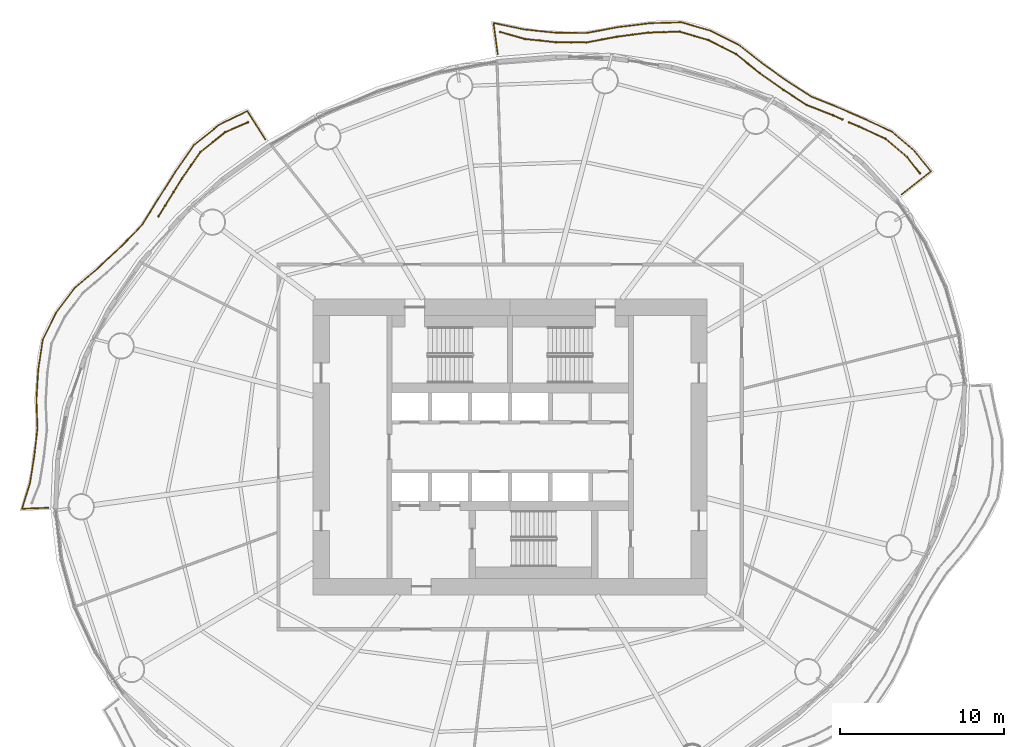
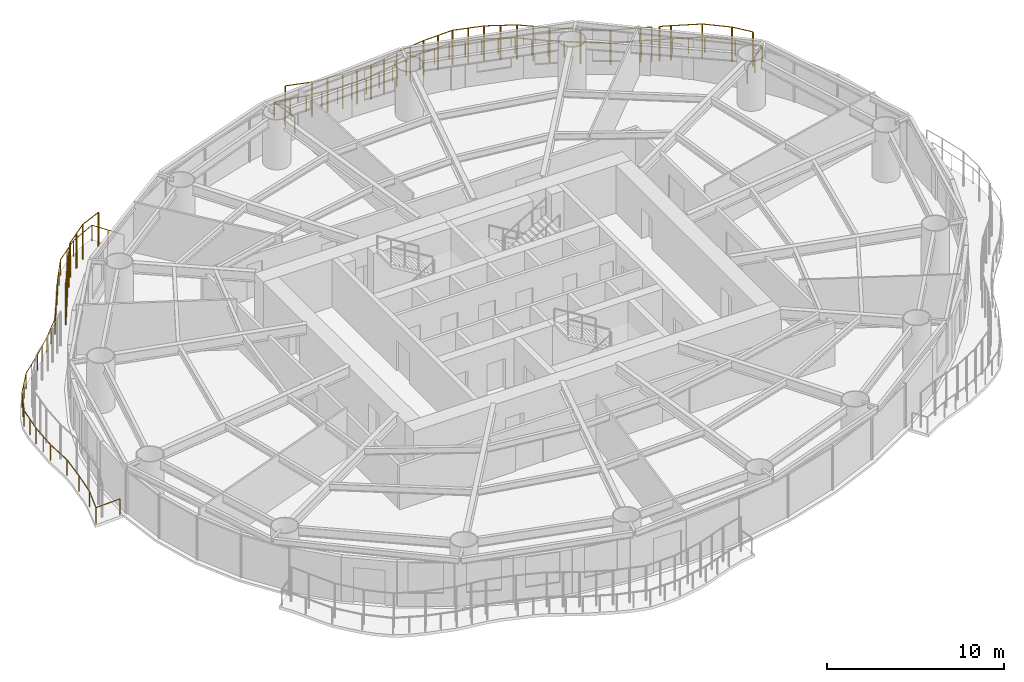
# One storey, part 16 of 16: 5 railings.
"""IFC4 building model written with IfcOpenShell, lengths in metres."""

from ifc_helpers import new_model, si_unit, direction, frame, origin, origin_2d, place, context, subcontext, project, spatial, circle, extrude, material, type_object, element, save


model = new_model("IFC4")

# Units and contexts
model_context = context("Model", 3, precision=1e-05, world=origin(), true_north=direction((0.0, 1.0)))
body_context = subcontext(model_context, "Body", "Model", "MODEL_VIEW")
ifc_project = project(units=[si_unit("LENGTHUNIT", "METRE"), si_unit("AREAUNIT", "SQUARE_METRE"), si_unit("VOLUMEUNIT", "CUBIC_METRE"), si_unit("PLANEANGLEUNIT", "RADIAN"), si_unit("MASSUNIT", "GRAM", prefix="KILO")], contexts=[model_context])

# Site, building, storey
site_placement = place(None, origin())
site = spatial("IfcSite", under=ifc_project, at=site_placement, CompositionType="ELEMENT")
building_placement = place(site_placement, origin())
building = spatial("IfcBuilding", under=site, at=building_placement, Name="Vermilion Reach Broadcast Tower", CompositionType="ELEMENT")
storey_placement = place(building_placement, frame((0.0, 0.0, 113.800048828125)))
storey = spatial("IfcBuildingStorey", under=building, at=storey_placement, Name="L26", CompositionType="ELEMENT", Elevation=113.800048828125)

# Railings
ifc_material_1 = material(Name="Terracotta baguette", Category="masonry")
railing_type_1 = type_object("IfcRailingType", Name="BAGUETTE SCREEN", PredefinedType="USERDEFINED", material=ifc_material_1)
railing_1_placement = place(storey_placement, frame((18.940673828125, 16.65869140625, 0.0)))
element("IfcRailing", 1, at=railing_1_placement, inside=storey, type_object=railing_type_1, Name="Baguette screen L26 group 1 part 1", ObjectType="BAGUETTE SCREEN", PredefinedType="USERDEFINED", context=body_context, shape_type="SweptSolid", body=[
    extrude(circle(Radius=0.030029296875, at=origin_2d()), frame((0.0, 0.0, 2.369873046875), z_axis=(-0.616943066015, 0.787007784775, 0.0), x_axis=(-0.787007784775, -0.616943066015, 0.0)), (0.0, 0.0, 1.0), 1.2646484375),
    extrude(circle(Radius=0.030029296875, at=origin_2d()), frame((-0.7802734375, 0.995361328125, 2.369873046875), z_axis=(-0.762030889386, 0.647540673334, 0.0), x_axis=(-0.647540673334, -0.762030889386, 0.0)), (0.0, 0.0, 1.0), 1.710205078125),
    extrude(circle(Radius=0.030029296875, at=origin_2d()), frame((-2.08349609375, 2.102783203125, 2.369873046875), z_axis=(-0.909723931133, 0.415213642749, 0.0), x_axis=(-0.415213642749, -0.909723931133, 0.0)), (0.0, 0.0, 1.0), 1.78564453125),
    extrude(circle(Radius=0.030029296875, at=origin_2d()), frame((-3.7080078125, 2.84423828125, 2.369873046875), z_axis=(-0.917883208286, 0.396850621704, 0.0), x_axis=(-0.396850621704, -0.917883208286, 0.0)), (0.0, 0.0, 1.0), 0.642822265625),
    extrude(circle(Radius=0.050048828125, at=origin_2d()), origin(), (0.0, 0.0, 1.0), 2.33984375),
    extrude(circle(Radius=0.050048828125, at=origin_2d()), frame((-0.7802734375, 0.995361328125, 0.0)), (0.0, 0.0, 1.0), 2.33984375),
    extrude(circle(Radius=0.050048828125, at=origin_2d()), frame((-2.08349609375, 2.102783203125, 0.0)), (0.0, 0.0, 1.0), 2.33984375),
    extrude(circle(Radius=0.050048828125, at=origin_2d()), frame((-3.7080078125, 2.84423828125, 0.0)), (0.0, 0.0, 1.0), 2.33984375),
    extrude(circle(Radius=0.050048828125, at=origin_2d()), frame((-4.298095703125, 3.099365234375, 0.0)), (0.0, 0.0, 1.0), 2.33984375),
])
railing_2_placement = place(storey_placement, frame((14.232421875, 19.93505859375, 0.0)))
element("IfcRailing", 2, at=railing_2_placement, inside=storey, type_object=railing_type_1, Name="Baguette screen L26 group 1 part 2", ObjectType="BAGUETTE SCREEN", PredefinedType="USERDEFINED", context=body_context, shape_type="SweptSolid", body=[
    extrude(circle(Radius=0.030029296875, at=origin_2d()), frame((0.0, 0.0, 2.369873046875), z_axis=(-0.9178646239, 0.396893603114, 0.0), x_axis=(-0.396893603114, -0.9178646239, 0.0)), (0.0, 0.0, 1.0), 0.633544921875),
    extrude(circle(Radius=0.030029296875, at=origin_2d()), frame((-0.58154296875, 0.25146484375, 2.369873046875), z_axis=(-0.929868255268, 0.367892685229, 0.0), x_axis=(-0.367892685229, -0.929868255268, 0.0)), (0.0, 0.0, 1.0), 1.72216796875),
    extrude(circle(Radius=0.030029296875, at=origin_2d()), frame((-2.182861328125, 0.885009765625, 2.369873046875), z_axis=(-0.839134621448, 0.54392378794, 0.0), x_axis=(-0.54392378794, -0.839134621448, 0.0)), (0.0, 0.0, 1.0), 1.685546875),
    extrude(circle(Radius=0.030029296875, at=origin_2d()), frame((-3.59716796875, 1.8017578125, 2.369873046875), z_axis=(-0.816244172718, 0.577707062882, 0.0), x_axis=(-0.577707062882, -0.816244172718, 0.0)), (0.0, 0.0, 1.0), 1.7685546875),
    extrude(circle(Radius=0.030029296875, at=origin_2d()), frame((-5.040771484375, 2.823486328125, 2.369873046875), z_axis=(-0.780418464227, 0.625257563484, 0.0), x_axis=(-0.625257563484, -0.780418464227, 0.0)), (0.0, 0.0, 1.0), 1.85205078125),
    extrude(circle(Radius=0.030029296875, at=origin_2d()), frame((-6.486083984375, 3.9814453125, 2.369873046875), z_axis=(-0.891286393602, 0.453440806038, 0.0), x_axis=(-0.453440806038, -0.891286393602, 0.0)), (0.0, 0.0, 1.0), 1.863037109375),
    extrude(circle(Radius=0.030029296875, at=origin_2d()), frame((-8.146484375, 4.826171875, 2.369873046875), z_axis=(-0.959588513906, 0.28140697216, 0.0), x_axis=(-0.28140697216, -0.959588513906, 0.0)), (0.0, 0.0, 1.0), 1.84521484375),
    extrude(circle(Radius=0.030029296875, at=origin_2d()), frame((-9.917236328125, 5.345458984375, 2.369873046875), z_axis=(-0.999460754135, -0.032835970275, 0.0), x_axis=(0.032835970275, -0.999460754135, 0.0)), (0.0, 0.0, 1.0), 1.918212890625),
    extrude(circle(Radius=0.030029296875, at=origin_2d()), frame((-11.83447265625, 5.282470703125, 2.369873046875), z_axis=(-0.991594689965, -0.129383039205, 0.0), x_axis=(0.129383039205, -0.991594689965, 0.0)), (0.0, 0.0, 1.0), 1.904052734375),
    extrude(circle(Radius=0.030029296875, at=origin_2d()), frame((-13.722412109375, 5.0361328125, 2.369873046875), z_axis=(-0.982779540769, -0.184781964071, 0.0), x_axis=(0.184781964071, -0.982779540769, 0.0)), (0.0, 0.0, 1.0), 1.911865234375),
    extrude(circle(Radius=0.030029296875, at=origin_2d()), frame((-15.601318359375, 4.682861328125, 2.369873046875), z_axis=(-0.999970360509, 0.00769922752, 0.0), x_axis=(-0.00769922752, -0.999970360509, 0.0)), (0.0, 0.0, 1.0), 1.839111328125),
    extrude(circle(Radius=0.030029296875, at=origin_2d()), frame((-17.4404296875, 4.697021484375, 2.369873046875), z_axis=(-0.99432954246, 0.106342658377, 0.0), x_axis=(-0.106342658377, -0.99432954246, 0.0)), (0.0, 0.0, 1.0), 1.90087890625),
    extrude(circle(Radius=0.030029296875, at=origin_2d()), frame((-19.33056640625, 4.899169921875, 2.369873046875), z_axis=(-0.962239220036, 0.272205222992, 0.0), x_axis=(-0.272205222992, -0.962239220036, 0.0)), (0.0, 0.0, 1.0), 1.564208984375),
    extrude(circle(Radius=0.050048828125, at=origin_2d()), origin(), (0.0, 0.0, 1.0), 2.33984375),
    extrude(circle(Radius=0.050048828125, at=origin_2d()), frame((-0.58154296875, 0.25146484375, 0.0)), (0.0, 0.0, 1.0), 2.33984375),
    extrude(circle(Radius=0.050048828125, at=origin_2d()), frame((-2.182861328125, 0.885009765625, 0.0)), (0.0, 0.0, 1.0), 2.33984375),
    extrude(circle(Radius=0.050048828125, at=origin_2d()), frame((-3.59716796875, 1.8017578125, 0.0)), (0.0, 0.0, 1.0), 2.33984375),
    extrude(circle(Radius=0.050048828125, at=origin_2d()), frame((-5.040771484375, 2.823486328125, 0.0)), (0.0, 0.0, 1.0), 2.33984375),
    extrude(circle(Radius=0.050048828125, at=origin_2d()), frame((-5.763427734375, 3.40234375, 0.0)), (0.0, 0.0, 1.0), 2.33984375),
    extrude(circle(Radius=0.050048828125, at=origin_2d()), frame((-6.486083984375, 3.9814453125, 0.0)), (0.0, 0.0, 1.0), 2.33984375),
    extrude(circle(Radius=0.050048828125, at=origin_2d()), frame((-7.31640625, 4.40380859375, 0.0)), (0.0, 0.0, 1.0), 2.33984375),
    extrude(circle(Radius=0.050048828125, at=origin_2d()), frame((-8.146484375, 4.826171875, 0.0)), (0.0, 0.0, 1.0), 2.33984375),
    extrude(circle(Radius=0.050048828125, at=origin_2d()), frame((-9.03173828125, 5.0859375, 0.0)), (0.0, 0.0, 1.0), 2.33984375),
    extrude(circle(Radius=0.050048828125, at=origin_2d()), frame((-9.917236328125, 5.345458984375, 0.0)), (0.0, 0.0, 1.0), 2.33984375),
    extrude(circle(Radius=0.050048828125, at=origin_2d()), frame((-10.8759765625, 5.31396484375, 0.0)), (0.0, 0.0, 1.0), 2.33984375),
    extrude(circle(Radius=0.050048828125, at=origin_2d()), frame((-11.83447265625, 5.282470703125, 0.0)), (0.0, 0.0, 1.0), 2.33984375),
    extrude(circle(Radius=0.050048828125, at=origin_2d()), frame((-12.7783203125, 5.1591796875, 0.0)), (0.0, 0.0, 1.0), 2.33984375),
    extrude(circle(Radius=0.050048828125, at=origin_2d()), frame((-13.722412109375, 5.0361328125, 0.0)), (0.0, 0.0, 1.0), 2.33984375),
    extrude(circle(Radius=0.050048828125, at=origin_2d()), frame((-14.661865234375, 4.859375, 0.0)), (0.0, 0.0, 1.0), 2.33984375),
    extrude(circle(Radius=0.050048828125, at=origin_2d()), frame((-15.601318359375, 4.682861328125, 0.0)), (0.0, 0.0, 1.0), 2.33984375),
    extrude(circle(Radius=0.050048828125, at=origin_2d()), frame((-16.52099609375, 4.68994140625, 0.0)), (0.0, 0.0, 1.0), 2.33984375),
    extrude(circle(Radius=0.050048828125, at=origin_2d()), frame((-17.4404296875, 4.697021484375, 0.0)), (0.0, 0.0, 1.0), 2.33984375),
    extrude(circle(Radius=0.050048828125, at=origin_2d()), frame((-18.385498046875, 4.798095703125, 0.0)), (0.0, 0.0, 1.0), 2.33984375),
    extrude(circle(Radius=0.050048828125, at=origin_2d()), frame((-19.33056640625, 4.899169921875, 0.0)), (0.0, 0.0, 1.0), 2.33984375),
    extrude(circle(Radius=0.050048828125, at=origin_2d()), frame((-20.835693359375, 5.324951171875, 0.0)), (0.0, 0.0, 1.0), 2.33984375),
])
railing_3_placement = place(storey_placement, frame((-21.9560546875, 19.761474609375, 0.0)))
element("IfcRailing", 3, at=railing_3_placement, inside=storey, type_object=railing_type_1, Name="Baguette screen L26 group 2 part 1", ObjectType="BAGUETTE SCREEN", PredefinedType="USERDEFINED", context=body_context, shape_type="SweptSolid", body=[
    extrude(circle(Radius=0.030029296875, at=origin_2d()), frame((0.0, 0.0, 2.369873046875), z_axis=(-0.916680749856, -0.39962032336, 0.0), x_axis=(0.39962032336, -0.916680749856, 0.0)), (0.0, 0.0, 1.0), 1.507080078125),
    extrude(circle(Radius=0.030029296875, at=origin_2d()), frame((-1.381591796875, -0.602294921875, 2.369873046875), z_axis=(-0.782351659399, -0.622836961841, 0.0), x_axis=(0.622836961841, -0.782351659399, 0.0)), (0.0, 0.0, 1.0), 1.940673828125),
    extrude(circle(Radius=0.030029296875, at=origin_2d()), frame((-2.89990234375, -1.81103515625, 2.369873046875), z_axis=(-0.569527267613, -0.82197243959, 0.0), x_axis=(0.82197243959, -0.569527267613, 0.0)), (0.0, 0.0, 1.0), 1.960205078125),
    extrude(circle(Radius=0.030029296875, at=origin_2d()), frame((-4.016357421875, -3.42236328125, 2.369873046875), z_axis=(-0.529873833903, -0.848076482486, 0.0), x_axis=(0.848076482486, -0.529873833903, 0.0)), (0.0, 0.0, 1.0), 1.9296875),
    extrude(circle(Radius=0.030029296875, at=origin_2d()), frame((-5.038818359375, -5.058837890625, 2.369873046875), z_axis=(-0.526957751394, -0.849891480276, 0.0), x_axis=(0.849891480276, -0.526957751394, 0.0)), (0.0, 0.0, 1.0), 0.7802734375),
    extrude(circle(Radius=0.050048828125, at=origin_2d()), origin(), (0.0, 0.0, 1.0), 2.33984375),
    extrude(circle(Radius=0.050048828125, at=origin_2d()), frame((-1.381591796875, -0.602294921875, 0.0)), (0.0, 0.0, 1.0), 2.33984375),
    extrude(circle(Radius=0.050048828125, at=origin_2d()), frame((-2.140625, -1.20654296875, 0.0)), (0.0, 0.0, 1.0), 2.33984375),
    extrude(circle(Radius=0.050048828125, at=origin_2d()), frame((-2.89990234375, -1.81103515625, 0.0)), (0.0, 0.0, 1.0), 2.33984375),
    extrude(circle(Radius=0.050048828125, at=origin_2d()), frame((-3.4580078125, -2.61669921875, 0.0)), (0.0, 0.0, 1.0), 2.33984375),
    extrude(circle(Radius=0.050048828125, at=origin_2d()), frame((-4.016357421875, -3.42236328125, 0.0)), (0.0, 0.0, 1.0), 2.33984375),
    extrude(circle(Radius=0.050048828125, at=origin_2d()), frame((-4.527587890625, -4.24072265625, 0.0)), (0.0, 0.0, 1.0), 2.33984375),
    extrude(circle(Radius=0.050048828125, at=origin_2d()), frame((-5.038818359375, -5.058837890625, 0.0)), (0.0, 0.0, 1.0), 2.33984375),
    extrude(circle(Radius=0.050048828125, at=origin_2d()), frame((-5.449951171875, -5.721923828125, 0.0)), (0.0, 0.0, 1.0), 2.33984375),
])
ifc_material_2 = material(Name="Stainless steel 316 balustrade", Category="steel")
railing_type_2 = type_object("IfcRailingType", Name="Balcony guard 1100", PredefinedType="BALUSTRADE", material=ifc_material_2)
railing_4_placement = place(storey_placement, frame((17.8291015625, 15.3642578125, 0.0)))
element("IfcRailing", 4, at=railing_4_placement, inside=storey, type_object=railing_type_2, Name="Balcony guard L26 group 1", PredefinedType="BALUSTRADE", context=body_context, shape_type="SweptSolid", body=[
    extrude(circle(Radius=0.02490234375, at=origin_2d()), frame((0.0, 0.0, 1.0751953125), z_axis=(0.785496404741, 0.618866219904, 0.0), x_axis=(-0.618866219904, 0.785496404741, 0.0)), (0.0, 0.0, 1.0), 2.27978515625),
    extrude(circle(Radius=0.02490234375, at=origin_2d()), frame((1.790771484375, 1.410888671875, 1.0751953125), z_axis=(-0.630401891232, 0.776268932479, 0.0), x_axis=(-0.776268932479, -0.630401891232, 0.0)), (0.0, 0.0, 1.0), 1.638671875),
    extrude(circle(Radius=0.02490234375, at=origin_2d()), frame((0.7578125, 2.682861328125, 1.0751953125), z_axis=(-0.760611461677, 0.649207366228, 0.0), x_axis=(-0.649207366228, -0.760611461677, 0.0)), (0.0, 0.0, 1.0), 1.753173828125),
    extrude(circle(Radius=0.02490234375, at=origin_2d()), frame((-0.57568359375, 3.821044921875, 1.0751953125), z_axis=(-0.906959758009, 0.421217280454, 0.0), x_axis=(-0.421217280454, -0.906959758009, 0.0)), (0.0, 0.0, 1.0), 1.827392578125),
    extrude(circle(Radius=0.02490234375, at=origin_2d()), frame((-2.233154296875, 4.5908203125, 1.0751953125), z_axis=(-0.915810549659, 0.401610554062, 0.0), x_axis=(-0.401610554062, -0.915810549659, 0.0)), (0.0, 0.0, 1.0), 1.762939453125),
    extrude(circle(Radius=0.02490234375, at=origin_2d()), frame((-3.84765625, 5.298828125, 1.0751953125), z_axis=(-0.928180307264, 0.37213077971, 0.0), x_axis=(-0.37213077971, -0.928180307264, 0.0)), (0.0, 0.0, 1.0), 1.762939453125),
    extrude(circle(Radius=0.02490234375, at=origin_2d()), frame((-5.48388671875, 5.954833984375, 1.0751953125), z_axis=(-0.840063571376, 0.542487968573, 0.0), x_axis=(-0.542487968573, -0.840063571376, 0.0)), (0.0, 0.0, 1.0), 1.724609375),
    extrude(circle(Radius=0.02490234375, at=origin_2d()), frame((-6.9326171875, 6.890380859375, 1.0751953125), z_axis=(-0.818488711705, 0.574522609487, 0.0), x_axis=(-0.574522609487, -0.818488711705, 0.0)), (0.0, 0.0, 1.0), 1.807373046875),
    extrude(circle(Radius=0.02490234375, at=origin_2d()), frame((-8.411865234375, 7.9287109375, 1.0751953125), z_axis=(-0.784176961146, 0.620537262062, 0.0), x_axis=(-0.620537262062, -0.784176961146, 0.0)), (0.0, 0.0, 1.0), 1.88720703125),
    extrude(circle(Radius=0.02490234375, at=origin_2d()), frame((-9.891845703125, 9.099853515625, 1.0751953125), z_axis=(-0.892724245018, 0.450603398076, 0.0), x_axis=(-0.450603398076, -0.892724245018, 0.0)), (0.0, 0.0, 1.0), 1.899658203125),
    extrude(circle(Radius=0.02490234375, at=origin_2d()), frame((-11.587646484375, 9.955810546875, 1.0751953125), z_axis=(-0.959845739237, 0.280528353055, 0.0), x_axis=(-0.280528353055, -0.959845739237, 0.0)), (0.0, 0.0, 1.0), 1.880615234375),
    extrude(circle(Radius=0.02490234375, at=origin_2d()), frame((-13.392822265625, 10.4833984375, 1.0751953125), z_axis=(-0.99957934476, -0.029002302149, 0.0), x_axis=(0.029002302149, -0.99957934476, 0.0)), (0.0, 0.0, 1.0), 1.952880859375),
    extrude(circle(Radius=0.02490234375, at=origin_2d()), frame((-15.344970703125, 10.4267578125, 1.0751953125), z_axis=(-0.992135667145, -0.125167160142, 0.0), x_axis=(0.125167160142, -0.992135667145, 0.0)), (0.0, 0.0, 1.0), 1.936767578125),
    extrude(circle(Radius=0.02490234375, at=origin_2d()), frame((-17.2666015625, 10.184326171875, 1.0751953125), z_axis=(-0.983593565765, -0.180398717805, 0.0), x_axis=(0.180398717805, -0.983593565765, 0.0)), (0.0, 0.0, 1.0), 1.94482421875),
    extrude(circle(Radius=0.02490234375, at=origin_2d()), frame((-19.179443359375, 9.83349609375, 1.0751953125), z_axis=(-0.999971387459, 0.007564672032, 0.0), x_axis=(-0.007564672032, -0.999971387459, 0.0)), (0.0, 0.0, 1.0), 1.871826171875),
    extrude(circle(Radius=0.02490234375, at=origin_2d()), frame((-21.05126953125, 9.84765625, 1.0751953125), z_axis=(-0.994609457377, 0.103691982794, 0.0), x_axis=(-0.103691982794, -0.994609457377, 0.0)), (0.0, 0.0, 1.0), 1.93310546875),
    extrude(circle(Radius=0.02490234375, at=origin_2d()), frame((-22.973876953125, 10.048095703125, 1.0751953125), z_axis=(-0.978234912489, 0.207500496355, 0.0), x_axis=(-0.207500496355, -0.978234912489, 0.0)), (0.0, 0.0, 1.0), 1.9072265625),
    extrude(circle(Radius=0.02490234375, at=origin_2d()), frame((-24.839599609375, 10.44384765625, 1.0751953125), z_axis=(0.134993746437, -0.990846450477, 0.0), x_axis=(0.990846450477, 0.134993746437, 0.0)), (0.0, 0.0, 1.0), 1.915283203125),
    extrude(circle(Radius=0.02490234375, at=origin_2d()), origin(), (0.0, 0.0, 1.0), 1.050048828125),
    extrude(circle(Radius=0.02490234375, at=origin_2d()), frame((0.8955078125, 0.70556640625, 0.0)), (0.0, 0.0, 1.0), 1.050048828125),
    extrude(circle(Radius=0.02490234375, at=origin_2d()), frame((1.790771484375, 1.410888671875, 0.0)), (0.0, 0.0, 1.0), 1.050048828125),
    extrude(circle(Radius=0.02490234375, at=origin_2d()), frame((0.7578125, 2.682861328125, 0.0)), (0.0, 0.0, 1.0), 1.050048828125),
    extrude(circle(Radius=0.02490234375, at=origin_2d()), frame((-0.57568359375, 3.821044921875, 0.0)), (0.0, 0.0, 1.0), 1.050048828125),
    extrude(circle(Radius=0.02490234375, at=origin_2d()), frame((-1.404296875, 4.2060546875, 0.0)), (0.0, 0.0, 1.0), 1.050048828125),
    extrude(circle(Radius=0.02490234375, at=origin_2d()), frame((-2.233154296875, 4.5908203125, 0.0)), (0.0, 0.0, 1.0), 1.050048828125),
    extrude(circle(Radius=0.02490234375, at=origin_2d()), frame((-3.84765625, 5.298828125, 0.0)), (0.0, 0.0, 1.0), 1.050048828125),
    extrude(circle(Radius=0.02490234375, at=origin_2d()), frame((-5.48388671875, 5.954833984375, 0.0)), (0.0, 0.0, 1.0), 1.050048828125),
    extrude(circle(Radius=0.02490234375, at=origin_2d()), frame((-6.9326171875, 6.890380859375, 0.0)), (0.0, 0.0, 1.0), 1.050048828125),
    extrude(circle(Radius=0.02490234375, at=origin_2d()), frame((-7.67236328125, 7.40966796875, 0.0)), (0.0, 0.0, 1.0), 1.050048828125),
    extrude(circle(Radius=0.02490234375, at=origin_2d()), frame((-8.411865234375, 7.9287109375, 0.0)), (0.0, 0.0, 1.0), 1.050048828125),
    extrude(circle(Radius=0.02490234375, at=origin_2d()), frame((-9.15185546875, 8.51416015625, 0.0)), (0.0, 0.0, 1.0), 1.050048828125),
    extrude(circle(Radius=0.02490234375, at=origin_2d()), frame((-9.891845703125, 9.099853515625, 0.0)), (0.0, 0.0, 1.0), 1.050048828125),
    extrude(circle(Radius=0.02490234375, at=origin_2d()), frame((-10.73974609375, 9.52783203125, 0.0)), (0.0, 0.0, 1.0), 1.050048828125),
    extrude(circle(Radius=0.02490234375, at=origin_2d()), frame((-11.587646484375, 9.955810546875, 0.0)), (0.0, 0.0, 1.0), 1.050048828125),
    extrude(circle(Radius=0.02490234375, at=origin_2d()), frame((-12.490234375, 10.2197265625, 0.0)), (0.0, 0.0, 1.0), 1.050048828125),
    extrude(circle(Radius=0.02490234375, at=origin_2d()), frame((-13.392822265625, 10.4833984375, 0.0)), (0.0, 0.0, 1.0), 1.050048828125),
    extrude(circle(Radius=0.02490234375, at=origin_2d()), frame((-14.368896484375, 10.455078125, 0.0)), (0.0, 0.0, 1.0), 1.050048828125),
    extrude(circle(Radius=0.02490234375, at=origin_2d()), frame((-15.344970703125, 10.4267578125, 0.0)), (0.0, 0.0, 1.0), 1.050048828125),
    extrude(circle(Radius=0.02490234375, at=origin_2d()), frame((-16.3056640625, 10.3056640625, 0.0)), (0.0, 0.0, 1.0), 1.050048828125),
    extrude(circle(Radius=0.02490234375, at=origin_2d()), frame((-17.2666015625, 10.184326171875, 0.0)), (0.0, 0.0, 1.0), 1.050048828125),
    extrude(circle(Radius=0.02490234375, at=origin_2d()), frame((-18.22314453125, 10.0087890625, 0.0)), (0.0, 0.0, 1.0), 1.050048828125),
    extrude(circle(Radius=0.02490234375, at=origin_2d()), frame((-19.179443359375, 9.83349609375, 0.0)), (0.0, 0.0, 1.0), 1.050048828125),
    extrude(circle(Radius=0.02490234375, at=origin_2d()), frame((-20.115234375, 9.840576171875, 0.0)), (0.0, 0.0, 1.0), 1.050048828125),
    extrude(circle(Radius=0.02490234375, at=origin_2d()), frame((-21.05126953125, 9.84765625, 0.0)), (0.0, 0.0, 1.0), 1.050048828125),
    extrude(circle(Radius=0.02490234375, at=origin_2d()), frame((-22.0126953125, 9.94775390625, 0.0)), (0.0, 0.0, 1.0), 1.050048828125),
    extrude(circle(Radius=0.02490234375, at=origin_2d()), frame((-22.973876953125, 10.048095703125, 0.0)), (0.0, 0.0, 1.0), 1.050048828125),
    extrude(circle(Radius=0.02490234375, at=origin_2d()), frame((-23.90673828125, 10.24609375, 0.0)), (0.0, 0.0, 1.0), 1.050048828125),
    extrude(circle(Radius=0.02490234375, at=origin_2d()), frame((-24.839599609375, 10.44384765625, 0.0)), (0.0, 0.0, 1.0), 1.050048828125),
    extrude(circle(Radius=0.02490234375, at=origin_2d()), frame((-24.71044921875, 9.4951171875, 0.0)), (0.0, 0.0, 1.0), 1.050048828125),
    extrude(circle(Radius=0.02490234375, at=origin_2d()), frame((-24.5810546875, 8.546142578125, 0.0)), (0.0, 0.0, 1.0), 1.050048828125),
])
railing_5_placement = place(storey_placement, frame((-20.89794921875, 18.716796875, 0.0)))
element("IfcRailing", 5, at=railing_5_placement, inside=storey, type_object=railing_type_2, Name="Balcony guard L26 group 2", PredefinedType="BALUSTRADE", context=body_context, shape_type="SweptSolid", body=[
    extrude(circle(Radius=0.02490234375, at=origin_2d()), frame((0.0, 0.0, 1.0751953125), z_axis=(-0.538224661646, 0.842801408159, 0.0), x_axis=(-0.842801408159, -0.538224661646, 0.0)), (0.0, 0.0, 1.0), 2.048095703125),
    extrude(circle(Radius=0.02490234375, at=origin_2d()), frame((-1.102294921875, 1.72607421875, 1.0751953125), z_axis=(-0.899762641821, -0.436379637911, 0.0), x_axis=(0.436379637911, -0.899762641821, 0.0)), (0.0, 0.0, 1.0), 1.862548828125),
    extrude(circle(Radius=0.02490234375, at=origin_2d()), frame((-2.778076171875, 0.913330078125, 1.0751953125), z_axis=(-0.782603793763, -0.622520121754, 0.0), x_axis=(0.622520121754, -0.782603793763, 0.0)), (0.0, 0.0, 1.0), 1.973388671875),
    extrude(circle(Radius=0.02490234375, at=origin_2d()), frame((-4.322509765625, -0.315185546875, 1.0751953125), z_axis=(-0.572976931476, -0.819571495354, 0.0), x_axis=(0.819571495354, -0.572976931476, 0.0)), (0.0, 0.0, 1.0), 1.991943359375),
    extrude(circle(Radius=0.02490234375, at=origin_2d()), frame((-5.4638671875, -1.94775390625, 1.0751953125), z_axis=(-0.533449932205, -0.845831643905, 0.0), x_axis=(0.845831643905, -0.533449932205, 0.0)), (0.0, 0.0, 1.0), 1.96240234375),
    extrude(circle(Radius=0.02490234375, at=origin_2d()), frame((-6.5107421875, -3.607666015625, 1.0751953125), z_axis=(-0.529765205301, -0.848144343407, 0.0), x_axis=(0.848144343407, -0.529765205301, 0.0)), (0.0, 0.0, 1.0), 1.8779296875),
    extrude(circle(Radius=0.02490234375, at=origin_2d()), frame((-7.505615234375, -5.200439453125, 1.0751953125), z_axis=(-0.693631527261, -0.720329996869, 0.0), x_axis=(0.720329996869, -0.693631527261, 0.0)), (0.0, 0.0, 1.0), 1.84716796875),
    extrude(circle(Radius=0.02490234375, at=origin_2d()), frame((-8.786865234375, -6.531005859375, 1.0751953125), z_axis=(-0.732107181037, -0.681189456374, 0.0), x_axis=(0.681189456374, -0.732107181037, 0.0)), (0.0, 0.0, 1.0), 1.850830078125),
    extrude(circle(Radius=0.02490234375, at=origin_2d()), frame((-10.141845703125, -7.791748046875, 1.0751953125), z_axis=(-0.76011933527, -0.649783499443, 0.0), x_axis=(0.649783499443, -0.76011933527, 0.0)), (0.0, 0.0, 1.0), 1.93603515625),
    extrude(circle(Radius=0.02490234375, at=origin_2d()), frame((-11.613525390625, -9.0498046875, 1.0751953125), z_axis=(-0.601327549291, -0.799002614804, 0.0), x_axis=(0.799002614804, -0.601327549291, 0.0)), (0.0, 0.0, 1.0), 1.8525390625),
    extrude(circle(Radius=0.02490234375, at=origin_2d()), frame((-12.7275390625, -10.530029296875, 1.0751953125), z_axis=(-0.444628062318, -0.895715293048, 0.0), x_axis=(0.895715293048, -0.444628062318, 0.0)), (0.0, 0.0, 1.0), 1.85205078125),
    extrude(circle(Radius=0.02490234375, at=origin_2d()), frame((-13.551025390625, -12.18896484375, 1.0751953125), z_axis=(-0.148515682304, -0.988910052588, 0.0), x_axis=(0.988910052588, -0.148515682304, 0.0)), (0.0, 0.0, 1.0), 1.839599609375),
    extrude(circle(Radius=0.02490234375, at=origin_2d()), frame((-13.82421875, -14.008056640625, 1.0751953125), z_axis=(-0.061653891017, -0.998097589278, 0.0), x_axis=(0.998097589278, -0.061653891017, 0.0)), (0.0, 0.0, 1.0), 1.825439453125),
    extrude(circle(Radius=0.02490234375, at=origin_2d()), frame((-13.936767578125, -15.830078125, 1.0751953125), z_axis=(0.035854476877, -0.999357021533, 0.0), x_axis=(0.999357021533, 0.035854476877, 0.0)), (0.0, 0.0, 1.0), 1.763671875),
    extrude(circle(Radius=0.02490234375, at=origin_2d()), frame((-13.87353515625, -17.592529296875, 1.0751953125), z_axis=(-0.114519960927, -0.993420947308, 0.0), x_axis=(0.993420947308, -0.114519960927, 0.0)), (0.0, 0.0, 1.0), 1.690673828125),
    extrude(circle(Radius=0.02490234375, at=origin_2d()), frame((-14.067138671875, -19.27197265625, 1.0751953125), z_axis=(-0.156015330717, -0.987754633794, 0.0), x_axis=(0.987754633794, -0.156015330717, 0.0)), (0.0, 0.0, 1.0), 1.663330078125),
    extrude(circle(Radius=0.02490234375, at=origin_2d()), frame((-14.32666015625, -20.9150390625, 1.0751953125), z_axis=(-0.295897488395, -0.955219700572, 0.0), x_axis=(0.955219700572, -0.295897488395, 0.0)), (0.0, 0.0, 1.0), 1.6376953125),
    extrude(circle(Radius=0.02490234375, at=origin_2d()), frame((-14.811279296875, -22.4794921875, 1.0751953125), z_axis=(0.999335159703, 0.036458724343, 0.0), x_axis=(-0.036458724343, 0.999335159703, 0.0)), (0.0, 0.0, 1.0), 1.600341796875),
    extrude(circle(Radius=0.02490234375, at=origin_2d()), origin(), (0.0, 0.0, 1.0), 1.050048828125),
    extrude(circle(Radius=0.02490234375, at=origin_2d()), frame((-0.55126953125, 0.863037109375, 0.0)), (0.0, 0.0, 1.0), 1.050048828125),
    extrude(circle(Radius=0.02490234375, at=origin_2d()), frame((-1.102294921875, 1.72607421875, 0.0)), (0.0, 0.0, 1.0), 1.050048828125),
    extrude(circle(Radius=0.02490234375, at=origin_2d()), frame((-1.940185546875, 1.31982421875, 0.0)), (0.0, 0.0, 1.0), 1.050048828125),
    extrude(circle(Radius=0.02490234375, at=origin_2d()), frame((-2.778076171875, 0.913330078125, 0.0)), (0.0, 0.0, 1.0), 1.050048828125),
    extrude(circle(Radius=0.02490234375, at=origin_2d()), frame((-3.55029296875, 0.299072265625, 0.0)), (0.0, 0.0, 1.0), 1.050048828125),
    extrude(circle(Radius=0.02490234375, at=origin_2d()), frame((-4.322509765625, -0.315185546875, 0.0)), (0.0, 0.0, 1.0), 1.050048828125),
    extrude(circle(Radius=0.02490234375, at=origin_2d()), frame((-4.89306640625, -1.13134765625, 0.0)), (0.0, 0.0, 1.0), 1.050048828125),
    extrude(circle(Radius=0.02490234375, at=origin_2d()), frame((-5.4638671875, -1.94775390625, 0.0)), (0.0, 0.0, 1.0), 1.050048828125),
    extrude(circle(Radius=0.02490234375, at=origin_2d()), frame((-5.9873046875, -2.77783203125, 0.0)), (0.0, 0.0, 1.0), 1.050048828125),
    extrude(circle(Radius=0.02490234375, at=origin_2d()), frame((-6.5107421875, -3.607666015625, 0.0)), (0.0, 0.0, 1.0), 1.050048828125),
    extrude(circle(Radius=0.02490234375, at=origin_2d()), frame((-7.00830078125, -4.404052734375, 0.0)), (0.0, 0.0, 1.0), 1.050048828125),
    extrude(circle(Radius=0.02490234375, at=origin_2d()), frame((-7.505615234375, -5.200439453125, 0.0)), (0.0, 0.0, 1.0), 1.050048828125),
    extrude(circle(Radius=0.02490234375, at=origin_2d()), frame((-8.146240234375, -5.86572265625, 0.0)), (0.0, 0.0, 1.0), 1.050048828125),
    extrude(circle(Radius=0.02490234375, at=origin_2d()), frame((-8.786865234375, -6.531005859375, 0.0)), (0.0, 0.0, 1.0), 1.050048828125),
    extrude(circle(Radius=0.02490234375, at=origin_2d()), frame((-9.46435546875, -7.161376953125, 0.0)), (0.0, 0.0, 1.0), 1.050048828125),
    extrude(circle(Radius=0.02490234375, at=origin_2d()), frame((-10.141845703125, -7.791748046875, 0.0)), (0.0, 0.0, 1.0), 1.050048828125),
    extrude(circle(Radius=0.02490234375, at=origin_2d()), frame((-10.877685546875, -8.4208984375, 0.0)), (0.0, 0.0, 1.0), 1.050048828125),
    extrude(circle(Radius=0.02490234375, at=origin_2d()), frame((-11.613525390625, -9.0498046875, 0.0)), (0.0, 0.0, 1.0), 1.050048828125),
    extrude(circle(Radius=0.02490234375, at=origin_2d()), frame((-12.17041015625, -9.7900390625, 0.0)), (0.0, 0.0, 1.0), 1.050048828125),
    extrude(circle(Radius=0.02490234375, at=origin_2d()), frame((-12.7275390625, -10.530029296875, 0.0)), (0.0, 0.0, 1.0), 1.050048828125),
    extrude(circle(Radius=0.02490234375, at=origin_2d()), frame((-13.13916015625, -11.359375, 0.0)), (0.0, 0.0, 1.0), 1.050048828125),
    extrude(circle(Radius=0.02490234375, at=origin_2d()), frame((-13.551025390625, -12.18896484375, 0.0)), (0.0, 0.0, 1.0), 1.050048828125),
    extrude(circle(Radius=0.02490234375, at=origin_2d()), frame((-13.6875, -13.0986328125, 0.0)), (0.0, 0.0, 1.0), 1.050048828125),
    extrude(circle(Radius=0.02490234375, at=origin_2d()), frame((-13.82421875, -14.008056640625, 0.0)), (0.0, 0.0, 1.0), 1.050048828125),
    extrude(circle(Radius=0.02490234375, at=origin_2d()), frame((-13.88037109375, -14.9189453125, 0.0)), (0.0, 0.0, 1.0), 1.050048828125),
    extrude(circle(Radius=0.02490234375, at=origin_2d()), frame((-13.936767578125, -15.830078125, 0.0)), (0.0, 0.0, 1.0), 1.050048828125),
    extrude(circle(Radius=0.02490234375, at=origin_2d()), frame((-13.87353515625, -17.592529296875, 0.0)), (0.0, 0.0, 1.0), 1.050048828125),
    extrude(circle(Radius=0.02490234375, at=origin_2d()), frame((-14.067138671875, -19.27197265625, 0.0)), (0.0, 0.0, 1.0), 1.050048828125),
    extrude(circle(Radius=0.02490234375, at=origin_2d()), frame((-14.32666015625, -20.9150390625, 0.0)), (0.0, 0.0, 1.0), 1.050048828125),
    extrude(circle(Radius=0.02490234375, at=origin_2d()), frame((-14.811279296875, -22.4794921875, 0.0)), (0.0, 0.0, 1.0), 1.050048828125),
    extrude(circle(Radius=0.02490234375, at=origin_2d()), frame((-13.2119140625, -22.421142578125, 0.0)), (0.0, 0.0, 1.0), 1.050048828125),
])

save(model, "model.ifc")
